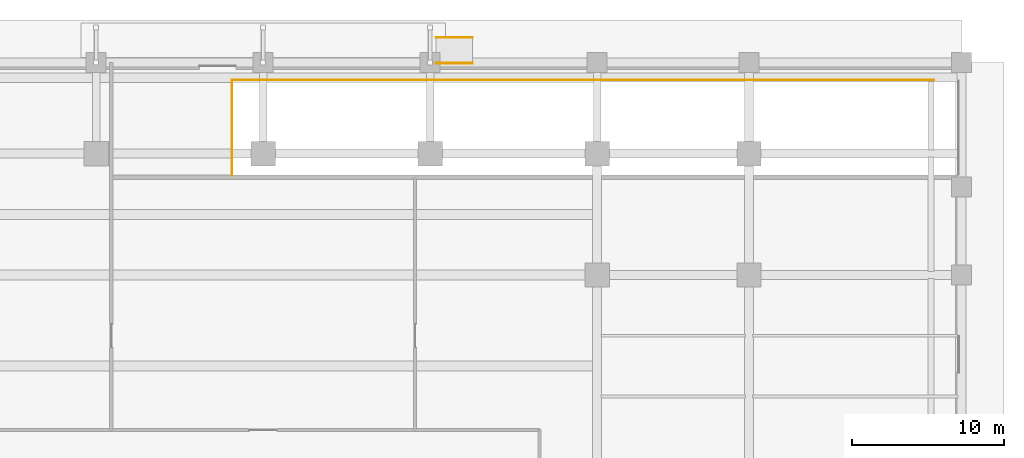
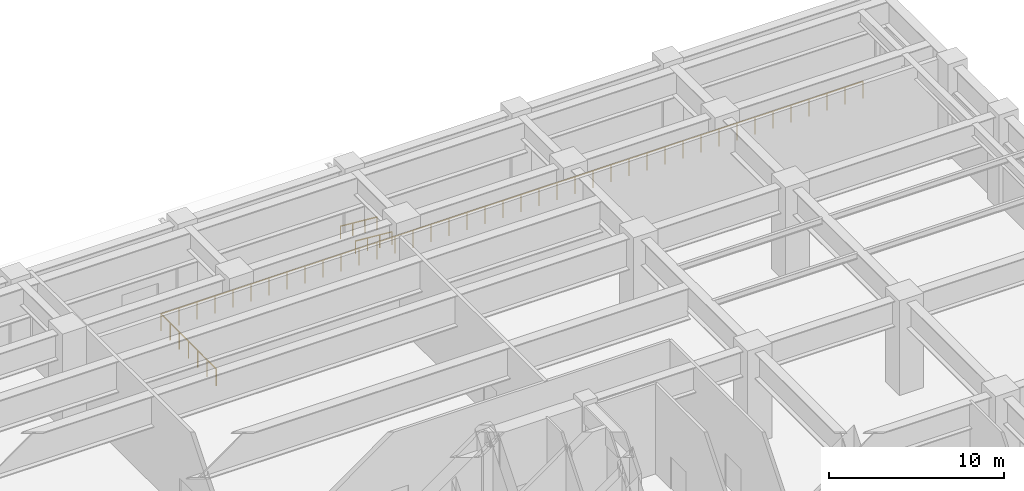
# One storey, part 20 of 21: 3 railings.
"""IFC4 building model written with IfcOpenShell, lengths in metres."""

import ifcopenshell
import ifcopenshell.guid

model = None  # the IFC model being written
_history = None  # IfcOwnerHistory: only IFC2X3 demands one
_inside = {}  # id of a spatial element -> (the spatial element, [elements in it])
_under = {}  # id of a project, library or spatial element -> (it, [spatial elements below it])
_declared = {}  # id of a project -> (the project, [libraries it declares])
_typed = {}  # id of a type object -> (the type object, [elements of that type])
_made_of = {}  # id of a material, layer set ... -> (it, [elements and type objects made of it])


def new_model(schema):
    """Start an empty IFC model of exactly this schema.

    Asked for "IFC4X3", IfcOpenShell would pick the latest addendum, in which some entities
    have other attributes; the version numbers below select the first issue.
    IFC2X3 requires an IfcOwnerHistory on every rooted entity: one is made here for all.
    """
    global model, _history
    if schema == "IFC4X3":
        model = ifcopenshell.file(schema_version=(4, 3, 0, 0))
    else:
        model = ifcopenshell.file(schema=schema)
    _inside.clear()
    _under.clear()
    _declared.clear()
    _typed.clear()
    _made_of.clear()
    _history = None
    if model.schema == "IFC2X3":
        org = make("IfcOrganization", Name="unknown")
        user = make(
            "IfcPersonAndOrganization",
            ThePerson=make("IfcPerson", FamilyName="unknown"),
            TheOrganization=org,
        )
        app = make(
            "IfcApplication",
            ApplicationDeveloper=org,
            Version="unknown",
            ApplicationFullName="unknown",
            ApplicationIdentifier="unknown",
        )
        _history = make(
            "IfcOwnerHistory",
            OwningUser=user,
            OwningApplication=app,
            ChangeAction="ADDED",
            CreationDate=0,
        )
    return model


def make(cls, **values):
    """One entity of the class cls with the attributes given. An attribute that is None is left unset."""
    return model.create_entity(
        cls, **{name: value for name, value in values.items() if value is not None}
    )


def rooted(cls, **values):
    """An entity with a GlobalId (a new one), such as an element, a storey or a relation."""
    return make(cls, GlobalId=ifcopenshell.guid.new(), OwnerHistory=_history, **values)


def si_unit(unit_type, name, prefix=None):
    """IfcSIUnit, for example si_unit("LENGTHUNIT", "METRE", prefix="MILLI")."""
    return make("IfcSIUnit", UnitType=unit_type, Prefix=prefix, Name=name)


def assignment(units):
    """IfcUnitAssignment: the units of a project."""
    return None if units is None else make("IfcUnitAssignment", Units=units)


def point(xyz):
    """IfcCartesianPoint."""
    return None if xyz is None else make("IfcCartesianPoint", Coordinates=xyz)


def direction(xyz):
    """IfcDirection."""
    return None if xyz is None else make("IfcDirection", DirectionRatios=xyz)


def frame(location, z_axis=None, x_axis=None):
    """IfcAxis2Placement3D, a coordinate frame: its origin and axes. An axis left out is left unset."""
    return make(
        "IfcAxis2Placement3D",
        Location=point(location),
        Axis=direction(z_axis),
        RefDirection=direction(x_axis),
    )


def frame_2d(location, x_axis=None):
    """IfcAxis2Placement2D, a coordinate frame in the plane: its origin and x axis."""
    return make(
        "IfcAxis2Placement2D", Location=point(location), RefDirection=direction(x_axis)
    )


def origin():
    """The frame at (0, 0, 0) with its axes left unset."""
    return frame((0.0, 0.0, 0.0))


def origin_2d():
    """The frame at (0, 0) in the plane with its x axis left unset."""
    return frame_2d((0.0, 0.0))


def place(relative_to, where):
    """IfcLocalPlacement: puts the frame where relative to a parent placement (None: the world)."""
    return make(
        "IfcLocalPlacement", PlacementRelTo=relative_to, RelativePlacement=where
    )


def context(
    kind, dimensions, precision=None, world=None, true_north=None, identifier=None
):
    """IfcGeometricRepresentationContext, for example the 3D "Model" context."""
    return make(
        "IfcGeometricRepresentationContext",
        ContextIdentifier=identifier,
        ContextType=kind,
        CoordinateSpaceDimension=dimensions,
        Precision=precision,
        WorldCoordinateSystem=world,
        TrueNorth=true_north,
    )


def subcontext(parent, identifier, kind, view, scale=None):
    """IfcGeometricRepresentationSubContext, for example "Body" below "Model"."""
    return make(
        "IfcGeometricRepresentationSubContext",
        ContextIdentifier=identifier,
        ContextType=kind,
        ParentContext=parent,
        TargetScale=scale,
        TargetView=view,
    )


def project(units=None, contexts=None):
    """IfcProject with its units and contexts."""
    return rooted(
        "IfcProject",
        Name="project",
        RepresentationContexts=contexts,
        UnitsInContext=assignment(units),
    )


def spatial(cls, under=None, at=None, **own):
    """A site, building, storey or space (cls), placed at a placement, below another one or the project."""
    s = rooted(cls, ObjectPlacement=at, **own)
    if under is not None:
        _under.setdefault(under.id(), (under, []))[1].append(s)
    return s


def profile(cls, at=None, kind="AREA", **sizes):
    """A parametric profile (cls). Its sizes go by their IFC names, for example OverallWidth=200.0."""
    return make(cls, ProfileType=kind, Position=at, **sizes)


def circle(**sizes):
    """IfcCircleProfileDef."""
    return profile("IfcCircleProfileDef", **sizes)


def extrude(swept, where, along, depth):
    """IfcExtrudedAreaSolid: the profile swept, set in the frame where, extruded along a direction by depth."""
    return make(
        "IfcExtrudedAreaSolid",
        SweptArea=swept,
        Position=where,
        ExtrudedDirection=direction(along),
        Depth=depth,
    )


def shape(context_of_items, identifier, shape_type, items):
    """IfcShapeRepresentation: the items that make up one representation, for example the "Body"."""
    return make(
        "IfcShapeRepresentation",
        ContextOfItems=context_of_items,
        RepresentationIdentifier=identifier,
        RepresentationType=shape_type,
        Items=items,
    )


def source(mapping_origin, context_of_items, identifier, shape_type, items):
    """IfcRepresentationMap: a shape defined once, which mapped items show again and again."""
    return make(
        "IfcRepresentationMap",
        MappingOrigin=mapping_origin,
        MappedRepresentation=shape(context_of_items, identifier, shape_type, items),
    )


def transform(
    local_origin,
    x_axis=None,
    y_axis=None,
    z_axis=None,
    scale=None,
    scale2=None,
    scale3=None,
    uniform=True,
):
    """IfcCartesianTransformationOperator3D, or its non-uniform kind. x_axis, y_axis, z_axis: its Axis1, 2, 3."""
    if uniform:
        return make(
            "IfcCartesianTransformationOperator3D",
            Axis1=direction(x_axis),
            Axis2=direction(y_axis),
            LocalOrigin=point(local_origin),
            Scale=scale,
            Axis3=direction(z_axis),
        )
    return make(
        "IfcCartesianTransformationOperator3DnonUniform",
        Axis1=direction(x_axis),
        Axis2=direction(y_axis),
        LocalOrigin=point(local_origin),
        Scale=scale,
        Axis3=direction(z_axis),
        Scale2=scale2,
        Scale3=scale3,
    )


def mapped(mapping_source, mapping_target):
    """IfcMappedItem: shows the shape of a source again, moved by a transform."""
    return make(
        "IfcMappedItem", MappingSource=mapping_source, MappingTarget=mapping_target
    )


def material(Name=None, Category=None):
    """IfcMaterial."""
    return make("IfcMaterial", Name=Name, Category=Category)


def made_of(thing, what):
    """Note that an element or type object is made of a material, layer set ...; save() writes the relation."""
    if what is not None:
        _made_of.setdefault(what.id(), (what, []))[1].append(thing)
    return thing


def type_object(cls, material=None, **own):
    """A type object (cls), such as IfcWallType, which elements share."""
    return made_of(rooted(cls, **own), material)


def element(
    cls,
    number,
    at=None,
    inside=None,
    cuts=None,
    type_object=None,
    material=None,
    context=None,
    identifier="Body",
    shape_type=None,
    held_by="IfcProductDefinitionShape",
    body=None,
    shapes=None,
    **own,
):
    """One element of the class cls, such as IfcWall. Its Tag is "e" and its number.

    at: its placement. inside: the storey or other place that contains it. cuts: it is an
    opening in that element (IfcRelVoidsElement). A single representation is given by context,
    identifier, shape_type and body (its items); several are given by shapes. held_by: the class
    of the entity that holds the representations. save() writes the other relations.
    """
    e = rooted(cls, Tag="e%d" % number, ObjectPlacement=at, **own)
    if body is not None:
        shapes = [shape(context, identifier, shape_type, body)]
    if shapes is not None:
        e.Representation = make(held_by, Representations=shapes)
    if inside is not None:
        _inside.setdefault(inside.id(), (inside, []))[1].append(e)
    if cuts is not None:
        rooted(
            "IfcRelVoidsElement", RelatingBuildingElement=cuts, RelatedOpeningElement=e
        )
    if type_object is not None:
        _typed.setdefault(type_object.id(), (type_object, []))[1].append(e)
    return made_of(e, material)


def aggregate(whole, parts):
    """IfcRelAggregates: a whole, such as a stair, and the parts it consists of."""
    return rooted("IfcRelAggregates", RelatingObject=whole, RelatedObjects=parts)


def save(model, path):
    """Write the relations noted so far, then the file.

    IfcRelAggregates (storeys below a building ...), IfcRelContainedInSpatialStructure (elements
    in a storey), IfcRelDefinesByType, IfcRelAssociatesMaterial and IfcRelDeclares: one each for
    every whole, place, type object, material and project.
    """
    for whole, parts in _under.values():
        aggregate(whole, parts)
    for where, things in _inside.values():
        rooted(
            "IfcRelContainedInSpatialStructure",
            RelatedElements=things,
            RelatingStructure=where,
        )
    for kind, things in _typed.values():
        rooted("IfcRelDefinesByType", RelatedObjects=things, RelatingType=kind)
    for what, things in _made_of.values():
        rooted("IfcRelAssociatesMaterial", RelatedObjects=things, RelatingMaterial=what)
    for by, libraries in _declared.values():
        rooted("IfcRelDeclares", RelatingContext=by, RelatedDefinitions=libraries)
    model.write(path)


model = new_model("IFC4")

# Units and contexts
model_context = context("Model", 3, precision=1e-05, world=origin(), true_north=direction((0.0, 1.0)))
body_context = subcontext(model_context, "Body", "Model", "MODEL_VIEW")
ifc_project = project(units=[si_unit("LENGTHUNIT", "METRE"), si_unit("AREAUNIT", "SQUARE_METRE"), si_unit("VOLUMEUNIT", "CUBIC_METRE"), si_unit("PLANEANGLEUNIT", "RADIAN"), si_unit("MASSUNIT", "GRAM", prefix="KILO")], contexts=[model_context])

# Site, building, storey
site_placement = place(None, origin())
site = spatial("IfcSite", under=ifc_project, at=site_placement, CompositionType="ELEMENT")
building_placement = place(site_placement, origin())
building = spatial("IfcBuilding", under=site, at=building_placement, Name="Khorayat Bourse Tower", CompositionType="ELEMENT")
storey_placement = place(building_placement, origin())
storey = spatial("IfcBuildingStorey", under=building, at=storey_placement, Name="L00", CompositionType="ELEMENT", Elevation=0.0)

# Railings
ifc_material_1 = material(Name="Brushed bronze stainless-steel handrail", Category="steel")
railing_type_1 = type_object("IfcRailingType", Name="RLG-HAND-900", PredefinedType="HANDRAIL", material=ifc_material_1)
shared_shape_1 = source(origin(), body_context, "Body", "SweptSolid", [
    extrude(circle(Radius=0.02392578125, at=origin_2d()), frame((0.0, 0.0, 0.8759765625), z_axis=(-0.996547855194, 0.0, 0.083020312624), x_axis=(0.0, -1.0, 0.0)), (0.0, 0.0, 1.0), 2.408447265625),
    extrude(circle(Radius=0.02099609375, at=origin_2d()), origin(), (0.0, 0.0, 1.0), 0.851806640625),
    extrude(circle(Radius=0.02099609375, at=origin_2d()), frame((-0.800048828125, 0.0, 0.066650390625)), (0.0, 0.0, 1.0), 0.851806640625),
    extrude(circle(Radius=0.02099609375, at=origin_2d()), frame((-1.60009765625, 0.0, 0.13330078125)), (0.0, 0.0, 1.0), 0.851806640625),
    extrude(circle(Radius=0.02099609375, at=origin_2d()), frame((-2.400146484375, 0.0, 0.199951171875)), (0.0, 0.0, 1.0), 0.851806640625),
])
for number, where, name in (
    (1, (13.800048828125, 37.949951171875, -0.199951171875), "North Drop-Off Accessible Ramp Handrail 1"),
    (2, (13.800048828125, 39.64990234375, -0.199951171875), "North Drop-Off Accessible Ramp Handrail 2"),
):
    element("IfcRailing", number, at=place(storey_placement, frame(where)), inside=storey, type_object=railing_type_1, Name=name, PredefinedType="HANDRAIL", context=body_context, shape_type="MappedRepresentation", body=[
        mapped(shared_shape_1, transform((0.0, 0.0, 0.0), scale=1.0)),
    ])
ifc_material_2 = material(Name="Powder-coated steel balustrade", Category="steel")
railing_type_2 = type_object("IfcRailingType", Name="RLG-GUARD-1200", PredefinedType="GUARDRAIL", material=ifc_material_2)
shared_shape_2 = source(origin(), body_context, "Body", "SweptSolid", [
    extrude(circle(Radius=0.02392578125, at=origin_2d()), frame((0.0, 0.0, 1.17578125), z_axis=(0.0, 1.0, 0.0), x_axis=(-1.0, 0.0, 0.0)), (0.0, 0.0, 1.0), 6.300048828125),
    extrude(circle(Radius=0.02392578125, at=origin_2d()), frame((0.0, 6.300048828125, 1.17578125), z_axis=(1.0, 0.0, 0.0), x_axis=(0.0, 1.0, 0.0)), (0.0, 0.0, 1.0), 46.25),
    extrude(circle(Radius=0.02099609375, at=origin_2d()), origin(), (0.0, 0.0, 1.0), 1.15185546875),
    extrude(circle(Radius=0.02099609375, at=origin_2d()), frame((0.0, 1.050048828125, 0.0)), (0.0, 0.0, 1.0), 1.15185546875),
    extrude(circle(Radius=0.02099609375, at=origin_2d()), frame((0.0, 2.10009765625, 0.0)), (0.0, 0.0, 1.0), 1.15185546875),
    extrude(circle(Radius=0.02099609375, at=origin_2d()), frame((0.0, 3.14990234375, 0.0)), (0.0, 0.0, 1.0), 1.15185546875),
    extrude(circle(Radius=0.02099609375, at=origin_2d()), frame((0.0, 4.199951171875, 0.0)), (0.0, 0.0, 1.0), 1.15185546875),
    extrude(circle(Radius=0.02099609375, at=origin_2d()), frame((0.0, 5.25, 0.0)), (0.0, 0.0, 1.0), 1.15185546875),
    extrude(circle(Radius=0.02099609375, at=origin_2d()), frame((0.0, 6.300048828125, 0.0)), (0.0, 0.0, 1.0), 1.15185546875),
    extrude(circle(Radius=0.02099609375, at=origin_2d()), frame((1.185791015625, 6.300048828125, 0.0)), (0.0, 0.0, 1.0), 1.15185546875),
    extrude(circle(Radius=0.02099609375, at=origin_2d()), frame((2.371826171875, 6.300048828125, 0.0)), (0.0, 0.0, 1.0), 1.15185546875),
    extrude(circle(Radius=0.02099609375, at=origin_2d()), frame((3.5576171875, 6.300048828125, 0.0)), (0.0, 0.0, 1.0), 1.15185546875),
    extrude(circle(Radius=0.02099609375, at=origin_2d()), frame((4.74365234375, 6.300048828125, 0.0)), (0.0, 0.0, 1.0), 1.15185546875),
    extrude(circle(Radius=0.02099609375, at=origin_2d()), frame((5.929443359375, 6.300048828125, 0.0)), (0.0, 0.0, 1.0), 1.15185546875),
    extrude(circle(Radius=0.02099609375, at=origin_2d()), frame((7.115478515625, 6.300048828125, 0.0)), (0.0, 0.0, 1.0), 1.15185546875),
    extrude(circle(Radius=0.02099609375, at=origin_2d()), frame((8.30126953125, 6.300048828125, 0.0)), (0.0, 0.0, 1.0), 1.15185546875),
    extrude(circle(Radius=0.02099609375, at=origin_2d()), frame((9.487060546875, 6.300048828125, 0.0)), (0.0, 0.0, 1.0), 1.15185546875),
    extrude(circle(Radius=0.02099609375, at=origin_2d()), frame((10.673095703125, 6.300048828125, 0.0)), (0.0, 0.0, 1.0), 1.15185546875),
    extrude(circle(Radius=0.02099609375, at=origin_2d()), frame((11.85888671875, 6.300048828125, 0.0)), (0.0, 0.0, 1.0), 1.15185546875),
    extrude(circle(Radius=0.02099609375, at=origin_2d()), frame((13.044921875, 6.300048828125, 0.0)), (0.0, 0.0, 1.0), 1.15185546875),
    extrude(circle(Radius=0.02099609375, at=origin_2d()), frame((14.230712890625, 6.300048828125, 0.0)), (0.0, 0.0, 1.0), 1.15185546875),
    extrude(circle(Radius=0.02099609375, at=origin_2d()), frame((15.416748046875, 6.300048828125, 0.0)), (0.0, 0.0, 1.0), 1.15185546875),
    extrude(circle(Radius=0.02099609375, at=origin_2d()), frame((16.6025390625, 6.300048828125, 0.0)), (0.0, 0.0, 1.0), 1.15185546875),
    extrude(circle(Radius=0.02099609375, at=origin_2d()), frame((17.78857421875, 6.300048828125, 0.0)), (0.0, 0.0, 1.0), 1.15185546875),
    extrude(circle(Radius=0.02099609375, at=origin_2d()), frame((18.974365234375, 6.300048828125, 0.0)), (0.0, 0.0, 1.0), 1.15185546875),
    extrude(circle(Radius=0.02099609375, at=origin_2d()), frame((20.16015625, 6.300048828125, 0.0)), (0.0, 0.0, 1.0), 1.15185546875),
    extrude(circle(Radius=0.02099609375, at=origin_2d()), frame((21.34619140625, 6.300048828125, 0.0)), (0.0, 0.0, 1.0), 1.15185546875),
    extrude(circle(Radius=0.02099609375, at=origin_2d()), frame((22.531982421875, 6.300048828125, 0.0)), (0.0, 0.0, 1.0), 1.15185546875),
    extrude(circle(Radius=0.02099609375, at=origin_2d()), frame((23.718017578125, 6.300048828125, 0.0)), (0.0, 0.0, 1.0), 1.15185546875),
    extrude(circle(Radius=0.02099609375, at=origin_2d()), frame((24.90380859375, 6.300048828125, 0.0)), (0.0, 0.0, 1.0), 1.15185546875),
    extrude(circle(Radius=0.02099609375, at=origin_2d()), frame((26.08984375, 6.300048828125, 0.0)), (0.0, 0.0, 1.0), 1.15185546875),
    extrude(circle(Radius=0.02099609375, at=origin_2d()), frame((27.275634765625, 6.300048828125, 0.0)), (0.0, 0.0, 1.0), 1.15185546875),
    extrude(circle(Radius=0.02099609375, at=origin_2d()), frame((28.46142578125, 6.300048828125, 0.0)), (0.0, 0.0, 1.0), 1.15185546875),
    extrude(circle(Radius=0.02099609375, at=origin_2d()), frame((29.6474609375, 6.300048828125, 0.0)), (0.0, 0.0, 1.0), 1.15185546875),
    extrude(circle(Radius=0.02099609375, at=origin_2d()), frame((30.833251953125, 6.300048828125, 0.0)), (0.0, 0.0, 1.0), 1.15185546875),
    extrude(circle(Radius=0.02099609375, at=origin_2d()), frame((32.019287109375, 6.300048828125, 0.0)), (0.0, 0.0, 1.0), 1.15185546875),
    extrude(circle(Radius=0.02099609375, at=origin_2d()), frame((33.205078125, 6.300048828125, 0.0)), (0.0, 0.0, 1.0), 1.15185546875),
    extrude(circle(Radius=0.02099609375, at=origin_2d()), frame((34.39111328125, 6.300048828125, 0.0)), (0.0, 0.0, 1.0), 1.15185546875),
    extrude(circle(Radius=0.02099609375, at=origin_2d()), frame((35.576904296875, 6.300048828125, 0.0)), (0.0, 0.0, 1.0), 1.15185546875),
    extrude(circle(Radius=0.02099609375, at=origin_2d()), frame((36.762939453125, 6.300048828125, 0.0)), (0.0, 0.0, 1.0), 1.15185546875),
    extrude(circle(Radius=0.02099609375, at=origin_2d()), frame((37.94873046875, 6.300048828125, 0.0)), (0.0, 0.0, 1.0), 1.15185546875),
    extrude(circle(Radius=0.02099609375, at=origin_2d()), frame((39.134521484375, 6.300048828125, 0.0)), (0.0, 0.0, 1.0), 1.15185546875),
    extrude(circle(Radius=0.02099609375, at=origin_2d()), frame((40.320556640625, 6.300048828125, 0.0)), (0.0, 0.0, 1.0), 1.15185546875),
    extrude(circle(Radius=0.02099609375, at=origin_2d()), frame((41.50634765625, 6.300048828125, 0.0)), (0.0, 0.0, 1.0), 1.15185546875),
    extrude(circle(Radius=0.02099609375, at=origin_2d()), frame((42.6923828125, 6.300048828125, 0.0)), (0.0, 0.0, 1.0), 1.15185546875),
    extrude(circle(Radius=0.02099609375, at=origin_2d()), frame((43.878173828125, 6.300048828125, 0.0)), (0.0, 0.0, 1.0), 1.15185546875),
    extrude(circle(Radius=0.02099609375, at=origin_2d()), frame((45.064208984375, 6.300048828125, 0.0)), (0.0, 0.0, 1.0), 1.15185546875),
    extrude(circle(Radius=0.02099609375, at=origin_2d()), frame((46.25, 6.300048828125, 0.0)), (0.0, 0.0, 1.0), 1.15185546875),
])
railing_placement = place(storey_placement, frame((-2.050048828125, 30.550048828125, 0.0)))
element("IfcRailing", 3, at=railing_placement, inside=storey, type_object=railing_type_2, Name="L00 Ramp Opening Edge Guard", PredefinedType="GUARDRAIL", context=body_context, shape_type="MappedRepresentation", body=[
    mapped(shared_shape_2, transform((0.0, 0.0, 0.0), scale=1.0)),
])

save(model, "model.ifc")
